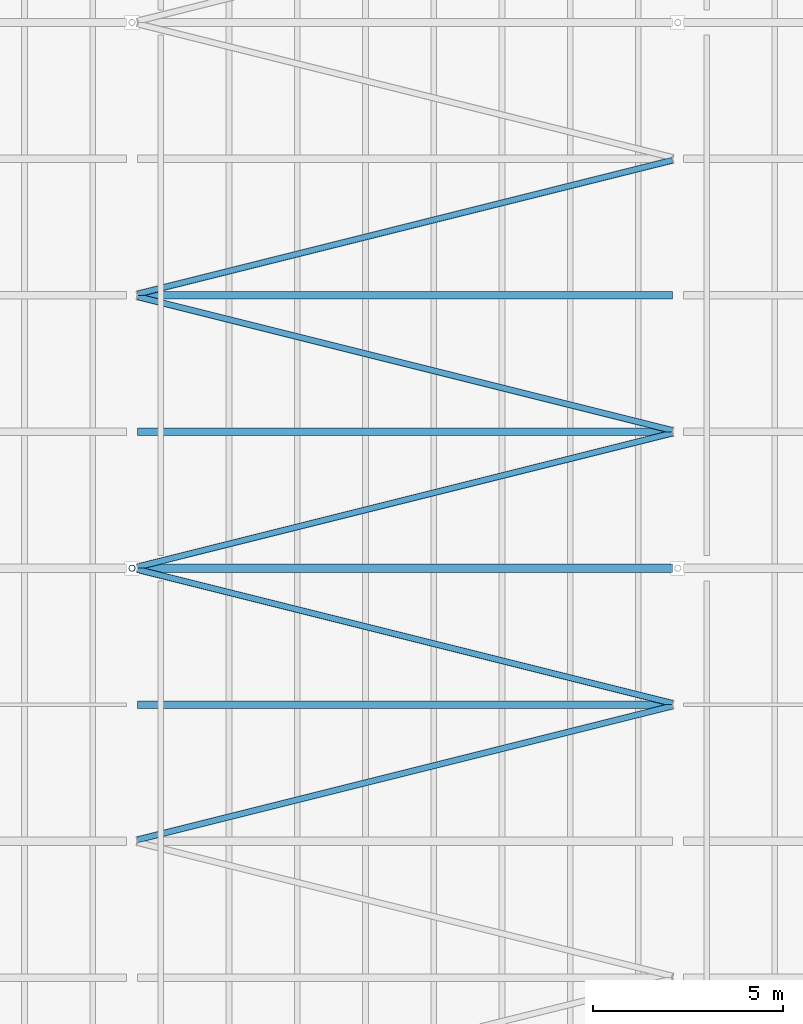
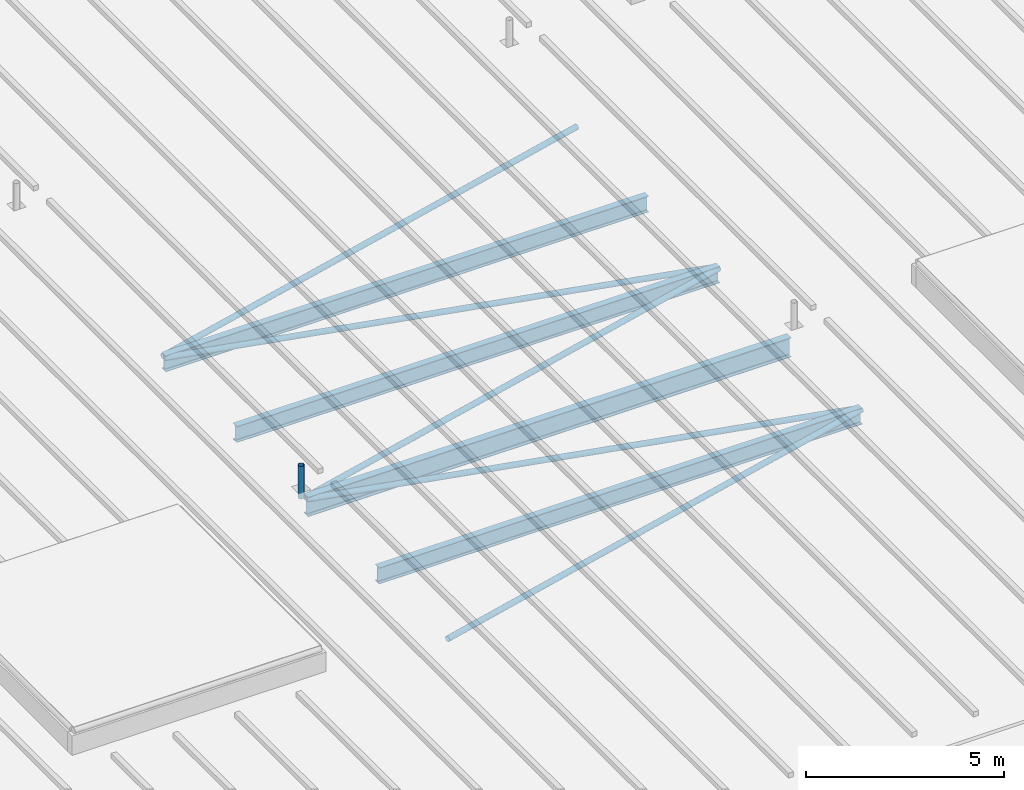
# One storey, part 40 of 120: 6 members, 4 beams.
"""IFC4 building model written with IfcOpenShell, lengths in metres."""

import ifcopenshell
import ifcopenshell.guid

model = None  # the IFC model being written
_history = None  # IfcOwnerHistory: only IFC2X3 demands one
_inside = {}  # id of a spatial element -> (the spatial element, [elements in it])
_under = {}  # id of a project, library or spatial element -> (it, [spatial elements below it])
_declared = {}  # id of a project -> (the project, [libraries it declares])
_typed = {}  # id of a type object -> (the type object, [elements of that type])
_made_of = {}  # id of a material, layer set ... -> (it, [elements and type objects made of it])


def new_model(schema):
    """Start an empty IFC model of exactly this schema.

    Asked for "IFC4X3", IfcOpenShell would pick the latest addendum, in which some entities
    have other attributes; the version numbers below select the first issue.
    IFC2X3 requires an IfcOwnerHistory on every rooted entity: one is made here for all.
    """
    global model, _history
    if schema == "IFC4X3":
        model = ifcopenshell.file(schema_version=(4, 3, 0, 0))
    else:
        model = ifcopenshell.file(schema=schema)
    _inside.clear()
    _under.clear()
    _declared.clear()
    _typed.clear()
    _made_of.clear()
    _history = None
    if model.schema == "IFC2X3":
        org = make("IfcOrganization", Name="unknown")
        user = make(
            "IfcPersonAndOrganization",
            ThePerson=make("IfcPerson", FamilyName="unknown"),
            TheOrganization=org,
        )
        app = make(
            "IfcApplication",
            ApplicationDeveloper=org,
            Version="unknown",
            ApplicationFullName="unknown",
            ApplicationIdentifier="unknown",
        )
        _history = make(
            "IfcOwnerHistory",
            OwningUser=user,
            OwningApplication=app,
            ChangeAction="ADDED",
            CreationDate=0,
        )
    return model


def make(cls, **values):
    """One entity of the class cls with the attributes given. An attribute that is None is left unset."""
    return model.create_entity(
        cls, **{name: value for name, value in values.items() if value is not None}
    )


def rooted(cls, **values):
    """An entity with a GlobalId (a new one), such as an element, a storey or a relation."""
    return make(cls, GlobalId=ifcopenshell.guid.new(), OwnerHistory=_history, **values)


def si_unit(unit_type, name, prefix=None):
    """IfcSIUnit, for example si_unit("LENGTHUNIT", "METRE", prefix="MILLI")."""
    return make("IfcSIUnit", UnitType=unit_type, Prefix=prefix, Name=name)


def assignment(units):
    """IfcUnitAssignment: the units of a project."""
    return None if units is None else make("IfcUnitAssignment", Units=units)


def point(xyz):
    """IfcCartesianPoint."""
    return None if xyz is None else make("IfcCartesianPoint", Coordinates=xyz)


def direction(xyz):
    """IfcDirection."""
    return None if xyz is None else make("IfcDirection", DirectionRatios=xyz)


def frame(location, z_axis=None, x_axis=None):
    """IfcAxis2Placement3D, a coordinate frame: its origin and axes. An axis left out is left unset."""
    return make(
        "IfcAxis2Placement3D",
        Location=point(location),
        Axis=direction(z_axis),
        RefDirection=direction(x_axis),
    )


def frame_2d(location, x_axis=None):
    """IfcAxis2Placement2D, a coordinate frame in the plane: its origin and x axis."""
    return make(
        "IfcAxis2Placement2D", Location=point(location), RefDirection=direction(x_axis)
    )


def origin():
    """The frame at (0, 0, 0) with its axes left unset."""
    return frame((0.0, 0.0, 0.0))


def origin_2d():
    """The frame at (0, 0) in the plane with its x axis left unset."""
    return frame_2d((0.0, 0.0))


def place(relative_to, where):
    """IfcLocalPlacement: puts the frame where relative to a parent placement (None: the world)."""
    return make(
        "IfcLocalPlacement", PlacementRelTo=relative_to, RelativePlacement=where
    )


def context(
    kind, dimensions, precision=None, world=None, true_north=None, identifier=None
):
    """IfcGeometricRepresentationContext, for example the 3D "Model" context."""
    return make(
        "IfcGeometricRepresentationContext",
        ContextIdentifier=identifier,
        ContextType=kind,
        CoordinateSpaceDimension=dimensions,
        Precision=precision,
        WorldCoordinateSystem=world,
        TrueNorth=true_north,
    )


def subcontext(parent, identifier, kind, view, scale=None):
    """IfcGeometricRepresentationSubContext, for example "Body" below "Model"."""
    return make(
        "IfcGeometricRepresentationSubContext",
        ContextIdentifier=identifier,
        ContextType=kind,
        ParentContext=parent,
        TargetScale=scale,
        TargetView=view,
    )


def project(units=None, contexts=None):
    """IfcProject with its units and contexts."""
    return rooted(
        "IfcProject",
        Name="project",
        RepresentationContexts=contexts,
        UnitsInContext=assignment(units),
    )


def spatial(cls, under=None, at=None, **own):
    """A site, building, storey or space (cls), placed at a placement, below another one or the project."""
    s = rooted(cls, ObjectPlacement=at, **own)
    if under is not None:
        _under.setdefault(under.id(), (under, []))[1].append(s)
    return s


def profile(cls, at=None, kind="AREA", **sizes):
    """A parametric profile (cls). Its sizes go by their IFC names, for example OverallWidth=200.0."""
    return make(cls, ProfileType=kind, Position=at, **sizes)


def hollow_circle(**sizes):
    """IfcCircleHollowProfileDef."""
    return profile("IfcCircleHollowProfileDef", **sizes)


def i_section(**sizes):
    """IfcIShapeProfileDef."""
    return profile("IfcIShapeProfileDef", **sizes)


def extrude(swept, where, along, depth):
    """IfcExtrudedAreaSolid: the profile swept, set in the frame where, extruded along a direction by depth."""
    return make(
        "IfcExtrudedAreaSolid",
        SweptArea=swept,
        Position=where,
        ExtrudedDirection=direction(along),
        Depth=depth,
    )


def shape(context_of_items, identifier, shape_type, items):
    """IfcShapeRepresentation: the items that make up one representation, for example the "Body"."""
    return make(
        "IfcShapeRepresentation",
        ContextOfItems=context_of_items,
        RepresentationIdentifier=identifier,
        RepresentationType=shape_type,
        Items=items,
    )


def material(Name=None, Category=None):
    """IfcMaterial."""
    return make("IfcMaterial", Name=Name, Category=Category)


def material_profile(
    of_material, cross_section, Name=None, Category=None, Priority=None
):
    """IfcMaterialProfile: a cross section and its material."""
    return make(
        "IfcMaterialProfile",
        Name=Name,
        Material=of_material,
        Profile=cross_section,
        Priority=Priority,
        Category=Category,
    )


def profile_set(profiles, Name=None, composite=None):
    """IfcMaterialProfileSet."""
    return make(
        "IfcMaterialProfileSet",
        Name=Name,
        MaterialProfiles=profiles,
        CompositeProfile=composite,
    )


def made_of(thing, what):
    """Note that an element or type object is made of a material, layer set ...; save() writes the relation."""
    if what is not None:
        _made_of.setdefault(what.id(), (what, []))[1].append(thing)
    return thing


def type_object(cls, material=None, **own):
    """A type object (cls), such as IfcWallType, which elements share."""
    return made_of(rooted(cls, **own), material)


def element(
    cls,
    number,
    at=None,
    inside=None,
    cuts=None,
    type_object=None,
    material=None,
    context=None,
    identifier="Body",
    shape_type=None,
    held_by="IfcProductDefinitionShape",
    body=None,
    shapes=None,
    **own,
):
    """One element of the class cls, such as IfcWall. Its Tag is "e" and its number.

    at: its placement. inside: the storey or other place that contains it. cuts: it is an
    opening in that element (IfcRelVoidsElement). A single representation is given by context,
    identifier, shape_type and body (its items); several are given by shapes. held_by: the class
    of the entity that holds the representations. save() writes the other relations.
    """
    e = rooted(cls, Tag="e%d" % number, ObjectPlacement=at, **own)
    if body is not None:
        shapes = [shape(context, identifier, shape_type, body)]
    if shapes is not None:
        e.Representation = make(held_by, Representations=shapes)
    if inside is not None:
        _inside.setdefault(inside.id(), (inside, []))[1].append(e)
    if cuts is not None:
        rooted(
            "IfcRelVoidsElement", RelatingBuildingElement=cuts, RelatedOpeningElement=e
        )
    if type_object is not None:
        _typed.setdefault(type_object.id(), (type_object, []))[1].append(e)
    return made_of(e, material)


def aggregate(whole, parts):
    """IfcRelAggregates: a whole, such as a stair, and the parts it consists of."""
    return rooted("IfcRelAggregates", RelatingObject=whole, RelatedObjects=parts)


def save(model, path):
    """Write the relations noted so far, then the file.

    IfcRelAggregates (storeys below a building ...), IfcRelContainedInSpatialStructure (elements
    in a storey), IfcRelDefinesByType, IfcRelAssociatesMaterial and IfcRelDeclares: one each for
    every whole, place, type object, material and project.
    """
    for whole, parts in _under.values():
        aggregate(whole, parts)
    for where, things in _inside.values():
        rooted(
            "IfcRelContainedInSpatialStructure",
            RelatedElements=things,
            RelatingStructure=where,
        )
    for kind, things in _typed.values():
        rooted("IfcRelDefinesByType", RelatedObjects=things, RelatingType=kind)
    for what, things in _made_of.values():
        rooted("IfcRelAssociatesMaterial", RelatedObjects=things, RelatingMaterial=what)
    for by, libraries in _declared.values():
        rooted("IfcRelDeclares", RelatingContext=by, RelatedDefinitions=libraries)
    model.write(path)


model = new_model("IFC4")

# Units and contexts
model_context = context("Model", 3, precision=1e-05, world=origin(), true_north=direction((0.0, 1.0)))
body_context = subcontext(model_context, "Body", "Model", "MODEL_VIEW")
ifc_project = project(units=[si_unit("LENGTHUNIT", "METRE"), si_unit("AREAUNIT", "SQUARE_METRE"), si_unit("VOLUMEUNIT", "CUBIC_METRE"), si_unit("PLANEANGLEUNIT", "RADIAN"), si_unit("MASSUNIT", "GRAM", prefix="KILO")], contexts=[model_context])

# Site, building, storey
site_placement = place(None, origin())
site = spatial("IfcSite", under=ifc_project, at=site_placement, CompositionType="ELEMENT")
building_placement = place(site_placement, origin())
building = spatial("IfcBuilding", under=site, at=building_placement, Name="Kupolbacken Congress Centre", CompositionType="ELEMENT")
storey_placement = place(building_placement, frame((0.0, 0.0, 21.60009765625)))
storey = spatial("IfcBuildingStorey", under=building, at=storey_placement, Name="L06", CompositionType="ELEMENT", Elevation=21.60009765625)

# Beams
ifc_material_1 = material(Name="Steel S355", Category="steel")
ifc_material_profile_1 = material_profile(ifc_material_1, i_section(OverallWidth=0.199951171875, OverallDepth=0.5, WebThickness=0.01025390625, FlangeThickness=0.01611328125, FilletRadius=0.02099609375, at=origin_2d()), Name="IPE 500")
ifc_profile_set_1 = profile_set([ifc_material_profile_1], Name="Steel S355")
beam_type_1 = type_object("IfcBeamType", Name="B09 beam IPE 500", PredefinedType="BEAM", material=ifc_profile_set_1)
for number, where, z_axis, x_axis, name in (
    (1, (151.344970703125, 57.60009765625, -0.25), (1.0, 0.0, 0.0), (0.0, 1.0, 0.0), "HR/P04-05"),
    (2, (151.344970703125, 64.800048828125, -0.25), (1.0, 0.0, 0.0), (0.0, 1.0, 0.0), "HR/P06-05"),
    (3, (151.344970703125, 68.39990234375, -0.25), (1.0, 0.0, 0.0), (0.0, 1.0, 0.0), "HR/P07-05"),
):
    element("IfcBeam", number, at=place(storey_placement, frame(where, z_axis=z_axis, x_axis=x_axis)), inside=storey, type_object=beam_type_1, Name=name, PredefinedType="BEAM", context=body_context, shape_type="SweptSolid", body=[
        extrude(i_section(OverallWidth=0.199951171875, OverallDepth=0.5, WebThickness=0.01025390625, FlangeThickness=0.01611328125, FilletRadius=0.02099609375, at=origin_2d()), origin(), (0.0, 0.0, 1.0), 14.110107421875),
    ])
ifc_material_2 = material(Name="Steel S355", Category="steel")
ifc_material_profile_2 = material_profile(ifc_material_2, i_section(OverallWidth=0.219970703125, OverallDepth=0.60009765625, WebThickness=0.011962890625, FlangeThickness=0.01904296875, FilletRadius=0.02392578125, at=origin_2d()), Name="IPE 600")
ifc_profile_set_2 = profile_set([ifc_material_profile_2], Name="Steel S355")
beam_type_2 = type_object("IfcBeamType", Name="B11 beam IPE 600", PredefinedType="BEAM", material=ifc_profile_set_2)
beam_placement = place(storey_placement, frame((151.344970703125, 61.199951171875, -0.300048828125), z_axis=(1.0, 0.0, 0.0), x_axis=(0.0, 1.0, 0.0)))
element("IfcBeam", 4, at=beam_placement, inside=storey, type_object=beam_type_2, Name="HR/X05-05", PredefinedType="BEAM", context=body_context, shape_type="SweptSolid", body=[
    extrude(i_section(OverallWidth=0.219970703125, OverallDepth=0.60009765625, WebThickness=0.011962890625, FlangeThickness=0.01904296875, FilletRadius=0.02392578125, at=origin_2d()), origin(), (0.0, 0.0, 1.0), 14.110107421875),
])

# Members
ifc_material_3 = material(Name="Steel S355", Category="steel")
ifc_material_profile_3 = material_profile(ifc_material_3, hollow_circle(Radius=0.084228515625, WallThickness=0.008056640625, at=origin_2d()), Name="CHS 168.3 x 8")
ifc_profile_set_3 = profile_set([ifc_material_profile_3], Name="Steel S355")
member_type_1 = type_object("IfcMemberType", Name="M20 transfer truss post CHS 168.3 x 8", PredefinedType="STRUT", material=ifc_profile_set_3)
member_placement = place(storey_placement, frame((151.199951171875, 61.199951171875, -0.010009765625), z_axis=(0.0, 0.0, 1.0), x_axis=(1.0, 0.0, 0.0)))
element("IfcMember", 5, at=member_placement, inside=storey, type_object=member_type_1, Name="Roof stay anchor post M5S.1", PredefinedType="STRUT", context=body_context, shape_type="SweptSolid", body=[
    extrude(hollow_circle(Radius=0.084228515625, WallThickness=0.008056640625, at=origin_2d()), origin(), (0.0, 0.0, 1.0), 1.010009765625),
])
ifc_material_4 = material(Name="Steel S355", Category="steel")
ifc_material_profile_4 = material_profile(ifc_material_4, hollow_circle(Radius=0.084228515625, WallThickness=0.008056640625, at=origin_2d()), Name="CHS 168.3 x 8")
ifc_profile_set_4 = profile_set([ifc_material_profile_4], Name="Steel S355")
member_type_2 = type_object("IfcMemberType", Name="M21 brace CHS 168.3 x 8", PredefinedType="BRACE", material=ifc_profile_set_4)
for number, where, z_axis, x_axis, name in (
    (6, (151.340576171875, 54.03515625, -0.084228515625), (0.970140526498, 0.24254351949, 0.0), (-0.24254351949, 0.970140526498, 0.0), "HR/RB/05-03"),
    (7, (165.459228515625, 57.63525390625, -0.084228515625), (-0.970144473737, 0.242527730535, 0.0), (-0.242527730535, -0.970144473737, 0.0), "HR/RB/05-04"),
    (8, (151.340576171875, 61.235107421875, -0.084228515625), (0.970140526498, 0.24254351949, 0.0), (-0.24254351949, 0.970140526498, 0.0), "HR/RB/05-05"),
    (9, (165.459228515625, 64.835205078125, -0.084228515625), (-0.970144473737, 0.242527730535, 0.0), (-0.242527730535, -0.970144473737, 0.0), "HR/RB/05-06"),
    (10, (151.340576171875, 68.43505859375, -0.084228515625), (0.970140526498, 0.24254351949, 0.0), (-0.24254351949, 0.970140526498, 0.0), "HR/RB/05-07"),
):
    element("IfcMember", number, at=place(storey_placement, frame(where, z_axis=z_axis, x_axis=x_axis)), inside=storey, type_object=member_type_2, Name=name, PredefinedType="BRACE", context=body_context, shape_type="SweptSolid", body=[
        extrude(hollow_circle(Radius=0.084228515625, WallThickness=0.008056640625, at=origin_2d()), origin(), (0.0, 0.0, 1.0), 14.55322265625),
    ])

save(model, "model.ifc")
